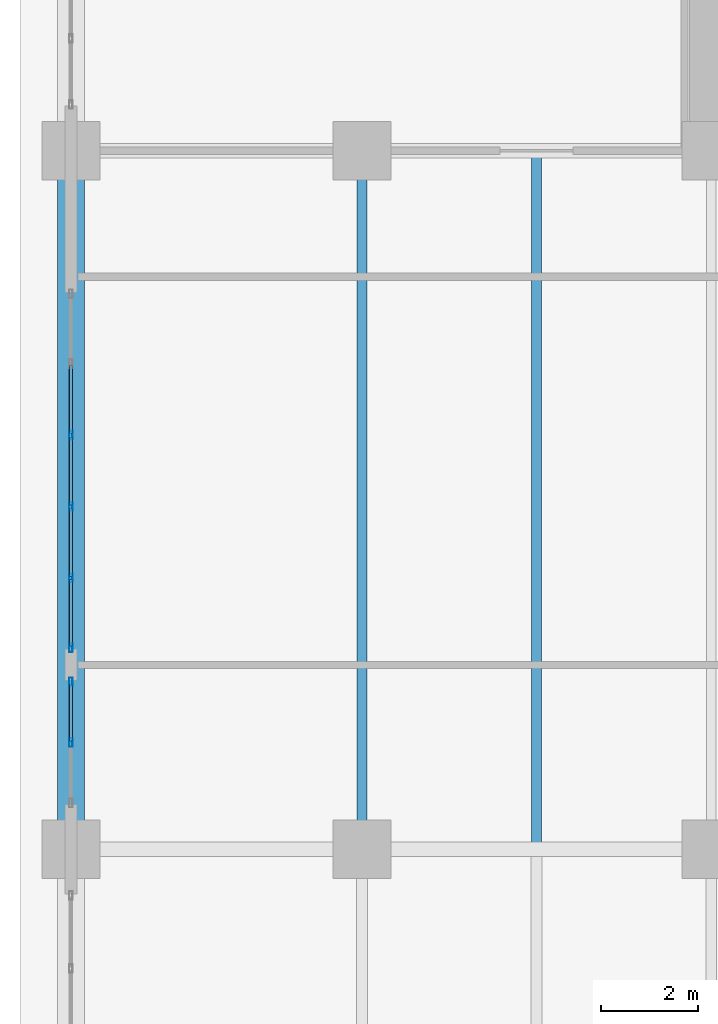
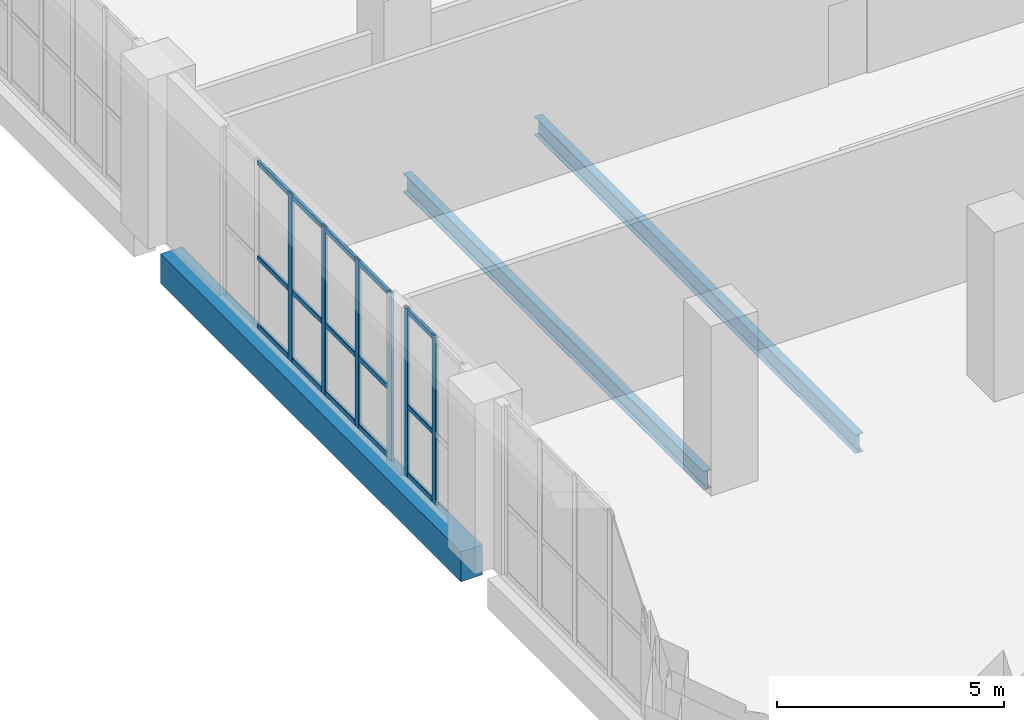
# One storey, part 8 of 37: 21 members, 3 beams, 2 elements without a shape of their own.
"""IFC4 building model written with IfcOpenShell, lengths in metres."""

from ifc_helpers import new_model, si_unit, direction, frame, origin, origin_2d, place, context, subcontext, project, spatial, rectangle, hollow_rectangle, i_section, extrude, material, layer, layer_set, material_profile, profile_set, type_object, element, aggregate, save


model = new_model("IFC4")

# Units and contexts
model_context = context("Model", 3, precision=1e-05, world=origin(), true_north=direction((0.0, 1.0)))
body_context = subcontext(model_context, "Body", "Model", "MODEL_VIEW")
ifc_project = project(units=[si_unit("LENGTHUNIT", "METRE"), si_unit("AREAUNIT", "SQUARE_METRE"), si_unit("VOLUMEUNIT", "CUBIC_METRE"), si_unit("PLANEANGLEUNIT", "RADIAN"), si_unit("MASSUNIT", "GRAM", prefix="KILO")], contexts=[model_context])

# Site, building, storey
site_placement = place(None, origin())
site = spatial("IfcSite", under=ifc_project, at=site_placement, CompositionType="ELEMENT")
building_placement = place(site_placement, origin())
building = spatial("IfcBuilding", under=site, at=building_placement, Name="Kaelvorn Grand Hotel", CompositionType="ELEMENT")
storey_placement = place(building_placement, frame((0.0, 0.0, 224.35009765625)))
storey = spatial("IfcBuildingStorey", under=building, at=storey_placement, Name="L55", CompositionType="ELEMENT", Elevation=224.35009765625)

# Beams
ifc_material_1 = material(Name="Steel S355", Category="steel")
ifc_material_profile_1 = material_profile(ifc_material_1, i_section(OverallWidth=0.199951171875, OverallDepth=0.5, WebThickness=0.01025390625, FlangeThickness=0.01611328125, FilletRadius=0.02099609375, at=origin_2d()), Name="IPE 500")
ifc_profile_set_1 = profile_set([ifc_material_profile_1], Name="Steel S355")
beam_type_1 = type_object("IfcBeamType", Name="BM-J-IPE500-S355", PredefinedType="JOIST", material=ifc_profile_set_1)
beam_1_placement = place(storey_placement, frame((9.0, 15.5849609375, -0.489990234375), z_axis=(0.0, 1.0, 0.0), x_axis=(-1.0, 0.0, 0.0)))
element("IfcBeam", 1, at=beam_1_placement, inside=storey, type_object=beam_type_1, Name="L55 Composite Floor Joist JM-03", PredefinedType="JOIST", context=body_context, shape_type="SweptSolid", body=[
    extrude(i_section(OverallWidth=0.199951171875, OverallDepth=0.5, WebThickness=0.01025390625, FlangeThickness=0.01611328125, FilletRadius=0.02099609375, at=origin_2d()), origin(), (0.0, 0.0, 1.0), 13.22998046875),
])
beam_2_placement = place(storey_placement, frame((12.60009765625, 15.131103515625, -0.489990234375), z_axis=(0.0, 1.0, 0.0), x_axis=(-1.0, 0.0, 0.0)))
element("IfcBeam", 2, at=beam_2_placement, inside=storey, type_object=beam_type_1, Name="L55 Composite Floor Joist JM-04", PredefinedType="JOIST", context=body_context, shape_type="SweptSolid", body=[
    extrude(i_section(OverallWidth=0.199951171875, OverallDepth=0.5, WebThickness=0.01025390625, FlangeThickness=0.01611328125, FilletRadius=0.02099609375, at=origin_2d()), origin(), (0.0, 0.0, 1.0), 14.1376953125),
])
ifc_material_2 = material(Name="Concrete C50/60", Category="concrete")
ifc_material_profile_2 = material_profile(ifc_material_2, rectangle(XDim=0.550048828125, YDim=0.800048828125, at=origin_2d()), Name="RC SPANDREL 550x800")
ifc_profile_set_2 = profile_set([ifc_material_profile_2], Name="Concrete C50/60")
beam_type_2 = type_object("IfcBeamType", Name="BM-SP-550x800-C50", PredefinedType="SPANDREL", material=ifc_profile_set_2)
beam_3_placement = place(storey_placement, frame((3.0, 15.5849609375, -0.64013671875), z_axis=(0.0, 1.0, 0.0), x_axis=(-1.0, 0.0, 0.0)))
element("IfcBeam", 3, at=beam_3_placement, inside=storey, type_object=beam_type_2, Name="L55 West Perimeter Spandrel 02", PredefinedType="SPANDREL", context=body_context, shape_type="SweptSolid", body=[
    extrude(rectangle(XDim=0.550048828125, YDim=0.800048828125, at=origin_2d()), origin(), (0.0, 0.0, 1.0), 13.22998046875),
])

# Curtain wall, members
ifc_material_3 = material(Name="Anodised Aluminium", Category="aluminium")
ifc_layer = layer(ifc_material_3, 0.179931640625)
ifc_layer_set = layer_set([ifc_layer], Name="Anodised Aluminium")
curtain_wall_type = type_object("IfcCurtainWallType", Name="CW-SYS4", PredefinedType="NOTDEFINED", material=ifc_layer_set)
curtain_wall_1_placement = place(storey_placement, origin())
curtain_wall_1 = element("IfcCurtainWall", 4, at=curtain_wall_1_placement, inside=storey, type_object=curtain_wall_type, Name="L55 Unitised Curtain Wall CW4 (CW-L55-W-03)", PredefinedType="NOTDEFINED")
ifc_material_profile_3 = material_profile(ifc_material_3, hollow_rectangle(XDim=0.070068359375, YDim=0.179931640625, WallThickness=0.00390625, InnerFilletRadius=0.00390625, OuterFilletRadius=0.008056640625, at=origin_2d()), Name="ALU MULL 70x180")
ifc_profile_set_3 = profile_set([ifc_material_profile_3], Name="Anodised Aluminium")
member_type_1 = type_object("IfcMemberType", Name="CW-SYS4-MULL", PredefinedType="MULLION", material=ifc_profile_set_3)
member_1_placement = place(storey_placement, frame((3.0, 23.535888671875, 0.0), z_axis=(0.0, 0.0, 1.0), x_axis=(1.0, 0.0, 0.0)))
member_1 = element("IfcMember", 5, at=member_1_placement, type_object=member_type_1, Name="CW4 mullion 3", PredefinedType="MULLION", context=body_context, shape_type="SweptSolid", body=[
    extrude(hollow_rectangle(XDim=0.070068359375, YDim=0.179931640625, WallThickness=0.00390625, InnerFilletRadius=0.00390625, OuterFilletRadius=0.008056640625, at=origin_2d()), origin(), (0.0, 0.0, 1.0), 4.52001953125),
])
member_2_placement = place(storey_placement, frame((3.0, 22.06396484375, 0.0), z_axis=(0.0, 0.0, 1.0), x_axis=(1.0, 0.0, 0.0)))
member_2 = element("IfcMember", 6, at=member_2_placement, type_object=member_type_1, Name="CW4 mullion 4", PredefinedType="MULLION", context=body_context, shape_type="SweptSolid", body=[
    extrude(hollow_rectangle(XDim=0.070068359375, YDim=0.179931640625, WallThickness=0.00390625, InnerFilletRadius=0.00390625, OuterFilletRadius=0.008056640625, at=origin_2d()), origin(), (0.0, 0.0, 1.0), 4.52001953125),
])
member_3_placement = place(storey_placement, frame((3.0, 20.592041015625, 0.0), z_axis=(0.0, 0.0, 1.0), x_axis=(1.0, 0.0, 0.0)))
member_3 = element("IfcMember", 7, at=member_3_placement, type_object=member_type_1, Name="CW4 mullion 5", PredefinedType="MULLION", context=body_context, shape_type="SweptSolid", body=[
    extrude(hollow_rectangle(XDim=0.070068359375, YDim=0.179931640625, WallThickness=0.00390625, InnerFilletRadius=0.00390625, OuterFilletRadius=0.008056640625, at=origin_2d()), origin(), (0.0, 0.0, 1.0), 4.52001953125),
])
member_4_placement = place(storey_placement, frame((3.0, 19.155029296875, 0.0), z_axis=(0.0, 0.0, 1.0), x_axis=(1.0, 0.0, 0.0)))
member_4 = element("IfcMember", 8, at=member_4_placement, type_object=member_type_1, Name="CW4 mullion 6", PredefinedType="MULLION", context=body_context, shape_type="SweptSolid", body=[
    extrude(hollow_rectangle(XDim=0.070068359375, YDim=0.179931640625, WallThickness=0.00390625, InnerFilletRadius=0.00390625, OuterFilletRadius=0.008056640625, at=origin_2d()), origin(), (0.0, 0.0, 1.0), 4.52001953125),
])

curtain_wall_2_placement = place(storey_placement, origin())
curtain_wall_2 = element("IfcCurtainWall", 9, at=curtain_wall_2_placement, inside=storey, type_object=curtain_wall_type, Name="L55 Unitised Curtain Wall CW4 (CW-L55-W-02)", PredefinedType="NOTDEFINED")
member_5_placement = place(storey_placement, frame((3.0, 18.445068359375, 0.0), z_axis=(0.0, 0.0, 1.0), x_axis=(1.0, 0.0, 0.0)))
member_5 = element("IfcMember", 10, at=member_5_placement, type_object=member_type_1, Name="CW4 mullion 1", PredefinedType="MULLION", context=body_context, shape_type="SweptSolid", body=[
    extrude(hollow_rectangle(XDim=0.070068359375, YDim=0.179931640625, WallThickness=0.00390625, InnerFilletRadius=0.00390625, OuterFilletRadius=0.008056640625, at=origin_2d()), origin(), (0.0, 0.0, 1.0), 4.52001953125),
])
member_6_placement = place(storey_placement, frame((3.0, 17.199951171875, 0.0), z_axis=(0.0, 0.0, 1.0), x_axis=(1.0, 0.0, 0.0)))
member_6 = element("IfcMember", 11, at=member_6_placement, type_object=member_type_1, Name="CW4 mullion 2", PredefinedType="MULLION", context=body_context, shape_type="SweptSolid", body=[
    extrude(hollow_rectangle(XDim=0.070068359375, YDim=0.179931640625, WallThickness=0.00390625, InnerFilletRadius=0.00390625, OuterFilletRadius=0.008056640625, at=origin_2d()), origin(), (0.0, 0.0, 1.0), 4.52001953125),
])

# Member
ifc_material_profile_4 = material_profile(ifc_material_3, hollow_rectangle(XDim=0.070068359375, YDim=0.135009765625, WallThickness=0.00341796875, InnerFilletRadius=0.00341796875, OuterFilletRadius=0.007080078125, at=origin_2d()), Name="ALU TRAN 70x135")
ifc_profile_set_4 = profile_set([ifc_material_profile_4], Name="Anodised Aluminium")
member_type_2 = type_object("IfcMemberType", Name="CW-SYS4-TRAN", PredefinedType="NOTDEFINED", material=ifc_profile_set_4)
member_7_placement = place(storey_placement, frame((3.0, 24.972900390625, 0.0673828125), z_axis=(0.0, -1.0, 0.0), x_axis=(1.0, 0.0, 0.0)))
member_7 = element("IfcMember", 12, at=member_7_placement, type_object=member_type_2, Name="CW4 transom 2.1", ObjectType="TRANSOM", PredefinedType="USERDEFINED", context=body_context, shape_type="SweptSolid", body=[
    extrude(hollow_rectangle(XDim=0.070068359375, YDim=0.135009765625, WallThickness=0.00341796875, InnerFilletRadius=0.00341796875, OuterFilletRadius=0.007080078125, at=origin_2d()), origin(), (0.0, 0.0, 1.0), 1.40185546875),
])

member_8_placement = place(storey_placement, frame((3.0, 24.972900390625, 1.898193359375), z_axis=(0.0, -1.0, 0.0), x_axis=(1.0, 0.0, 0.0)))
member_8 = element("IfcMember", 13, at=member_8_placement, type_object=member_type_2, Name="CW4 transom 2.2", ObjectType="TRANSOM", PredefinedType="USERDEFINED", context=body_context, shape_type="SweptSolid", body=[
    extrude(hollow_rectangle(XDim=0.070068359375, YDim=0.135009765625, WallThickness=0.00341796875, InnerFilletRadius=0.00341796875, OuterFilletRadius=0.007080078125, at=origin_2d()), origin(), (0.0, 0.0, 1.0), 1.40185546875),
])

member_9_placement = place(storey_placement, frame((3.0, 24.972900390625, 4.452392578125), z_axis=(0.0, -1.0, 0.0), x_axis=(1.0, 0.0, 0.0)))
member_9 = element("IfcMember", 14, at=member_9_placement, type_object=member_type_2, Name="CW4 transom 2.3", ObjectType="TRANSOM", PredefinedType="USERDEFINED", context=body_context, shape_type="SweptSolid", body=[
    extrude(hollow_rectangle(XDim=0.070068359375, YDim=0.135009765625, WallThickness=0.00341796875, InnerFilletRadius=0.00341796875, OuterFilletRadius=0.007080078125, at=origin_2d()), origin(), (0.0, 0.0, 1.0), 1.40185546875),
])

member_10_placement = place(storey_placement, frame((3.0, 23.5009765625, 0.0673828125), z_axis=(0.0, -1.0, 0.0), x_axis=(1.0, 0.0, 0.0)))
member_10 = element("IfcMember", 15, at=member_10_placement, type_object=member_type_2, Name="CW4 transom 3.1", ObjectType="TRANSOM", PredefinedType="USERDEFINED", context=body_context, shape_type="SweptSolid", body=[
    extrude(hollow_rectangle(XDim=0.070068359375, YDim=0.135009765625, WallThickness=0.00341796875, InnerFilletRadius=0.00341796875, OuterFilletRadius=0.007080078125, at=origin_2d()), origin(), (0.0, 0.0, 1.0), 1.40185546875),
])

member_11_placement = place(storey_placement, frame((3.0, 23.5009765625, 1.898193359375), z_axis=(0.0, -1.0, 0.0), x_axis=(1.0, 0.0, 0.0)))
member_11 = element("IfcMember", 16, at=member_11_placement, type_object=member_type_2, Name="CW4 transom 3.2", ObjectType="TRANSOM", PredefinedType="USERDEFINED", context=body_context, shape_type="SweptSolid", body=[
    extrude(hollow_rectangle(XDim=0.070068359375, YDim=0.135009765625, WallThickness=0.00341796875, InnerFilletRadius=0.00341796875, OuterFilletRadius=0.007080078125, at=origin_2d()), origin(), (0.0, 0.0, 1.0), 1.40185546875),
])

member_12_placement = place(storey_placement, frame((3.0, 23.5009765625, 4.452392578125), z_axis=(0.0, -1.0, 0.0), x_axis=(1.0, 0.0, 0.0)))
member_12 = element("IfcMember", 17, at=member_12_placement, type_object=member_type_2, Name="CW4 transom 3.3", ObjectType="TRANSOM", PredefinedType="USERDEFINED", context=body_context, shape_type="SweptSolid", body=[
    extrude(hollow_rectangle(XDim=0.070068359375, YDim=0.135009765625, WallThickness=0.00341796875, InnerFilletRadius=0.00341796875, OuterFilletRadius=0.007080078125, at=origin_2d()), origin(), (0.0, 0.0, 1.0), 1.40185546875),
])

member_13_placement = place(storey_placement, frame((3.0, 22.029052734375, 0.0673828125), z_axis=(0.0, -1.0, 0.0), x_axis=(1.0, 0.0, 0.0)))
member_13 = element("IfcMember", 18, at=member_13_placement, type_object=member_type_2, Name="CW4 transom 4.1", ObjectType="TRANSOM", PredefinedType="USERDEFINED", context=body_context, shape_type="SweptSolid", body=[
    extrude(hollow_rectangle(XDim=0.070068359375, YDim=0.135009765625, WallThickness=0.00341796875, InnerFilletRadius=0.00341796875, OuterFilletRadius=0.007080078125, at=origin_2d()), origin(), (0.0, 0.0, 1.0), 1.402099609375),
])

member_14_placement = place(storey_placement, frame((3.0, 22.029052734375, 1.898193359375), z_axis=(0.0, -1.0, 0.0), x_axis=(1.0, 0.0, 0.0)))
member_14 = element("IfcMember", 19, at=member_14_placement, type_object=member_type_2, Name="CW4 transom 4.2", ObjectType="TRANSOM", PredefinedType="USERDEFINED", context=body_context, shape_type="SweptSolid", body=[
    extrude(hollow_rectangle(XDim=0.070068359375, YDim=0.135009765625, WallThickness=0.00341796875, InnerFilletRadius=0.00341796875, OuterFilletRadius=0.007080078125, at=origin_2d()), origin(), (0.0, 0.0, 1.0), 1.402099609375),
])

member_15_placement = place(storey_placement, frame((3.0, 22.029052734375, 4.452392578125), z_axis=(0.0, -1.0, 0.0), x_axis=(1.0, 0.0, 0.0)))
member_15 = element("IfcMember", 20, at=member_15_placement, type_object=member_type_2, Name="CW4 transom 4.3", ObjectType="TRANSOM", PredefinedType="USERDEFINED", context=body_context, shape_type="SweptSolid", body=[
    extrude(hollow_rectangle(XDim=0.070068359375, YDim=0.135009765625, WallThickness=0.00341796875, InnerFilletRadius=0.00341796875, OuterFilletRadius=0.007080078125, at=origin_2d()), origin(), (0.0, 0.0, 1.0), 1.402099609375),
])

member_16_placement = place(storey_placement, frame((3.0, 20.556884765625, 0.0673828125), z_axis=(0.0, -1.0, 0.0), x_axis=(1.0, 0.0, 0.0)))
member_16 = element("IfcMember", 21, at=member_16_placement, type_object=member_type_2, Name="CW4 transom 5.1", ObjectType="TRANSOM", PredefinedType="USERDEFINED", context=body_context, shape_type="SweptSolid", body=[
    extrude(hollow_rectangle(XDim=0.070068359375, YDim=0.135009765625, WallThickness=0.00341796875, InnerFilletRadius=0.00341796875, OuterFilletRadius=0.007080078125, at=origin_2d()), origin(), (0.0, 0.0, 1.0), 1.366943359375),
])

member_17_placement = place(storey_placement, frame((3.0, 20.556884765625, 1.898193359375), z_axis=(0.0, -1.0, 0.0), x_axis=(1.0, 0.0, 0.0)))
member_17 = element("IfcMember", 22, at=member_17_placement, type_object=member_type_2, Name="CW4 transom 5.2", ObjectType="TRANSOM", PredefinedType="USERDEFINED", context=body_context, shape_type="SweptSolid", body=[
    extrude(hollow_rectangle(XDim=0.070068359375, YDim=0.135009765625, WallThickness=0.00341796875, InnerFilletRadius=0.00341796875, OuterFilletRadius=0.007080078125, at=origin_2d()), origin(), (0.0, 0.0, 1.0), 1.366943359375),
])

member_18_placement = place(storey_placement, frame((3.0, 20.556884765625, 4.452392578125), z_axis=(0.0, -1.0, 0.0), x_axis=(1.0, 0.0, 0.0)))
member_18 = element("IfcMember", 23, at=member_18_placement, type_object=member_type_2, Name="CW4 transom 5.3", ObjectType="TRANSOM", PredefinedType="USERDEFINED", context=body_context, shape_type="SweptSolid", body=[
    extrude(hollow_rectangle(XDim=0.070068359375, YDim=0.135009765625, WallThickness=0.00341796875, InnerFilletRadius=0.00341796875, OuterFilletRadius=0.007080078125, at=origin_2d()), origin(), (0.0, 0.0, 1.0), 1.366943359375),
])

aggregate(curtain_wall_1, [member_1, member_2, member_3, member_4, member_7, member_8, member_9, member_10, member_11, member_12, member_13, member_14, member_15, member_16, member_17, member_18])

member_19_placement = place(storey_placement, frame((3.0, 18.409912109375, 0.0673828125), z_axis=(0.0, -1.0, 0.0), x_axis=(1.0, 0.0, 0.0)))
member_19 = element("IfcMember", 24, at=member_19_placement, type_object=member_type_2, Name="CW4 transom 1.1", ObjectType="TRANSOM", PredefinedType="USERDEFINED", context=body_context, shape_type="SweptSolid", body=[
    extrude(hollow_rectangle(XDim=0.070068359375, YDim=0.135009765625, WallThickness=0.00341796875, InnerFilletRadius=0.00341796875, OuterFilletRadius=0.007080078125, at=origin_2d()), origin(), (0.0, 0.0, 1.0), 1.1748046875),
])

member_20_placement = place(storey_placement, frame((3.0, 18.409912109375, 1.898193359375), z_axis=(0.0, -1.0, 0.0), x_axis=(1.0, 0.0, 0.0)))
member_20 = element("IfcMember", 25, at=member_20_placement, type_object=member_type_2, Name="CW4 transom 1.2", ObjectType="TRANSOM", PredefinedType="USERDEFINED", context=body_context, shape_type="SweptSolid", body=[
    extrude(hollow_rectangle(XDim=0.070068359375, YDim=0.135009765625, WallThickness=0.00341796875, InnerFilletRadius=0.00341796875, OuterFilletRadius=0.007080078125, at=origin_2d()), origin(), (0.0, 0.0, 1.0), 1.1748046875),
])

member_21_placement = place(storey_placement, frame((3.0, 18.409912109375, 4.452392578125), z_axis=(0.0, -1.0, 0.0), x_axis=(1.0, 0.0, 0.0)))
member_21 = element("IfcMember", 26, at=member_21_placement, type_object=member_type_2, Name="CW4 transom 1.3", ObjectType="TRANSOM", PredefinedType="USERDEFINED", context=body_context, shape_type="SweptSolid", body=[
    extrude(hollow_rectangle(XDim=0.070068359375, YDim=0.135009765625, WallThickness=0.00341796875, InnerFilletRadius=0.00341796875, OuterFilletRadius=0.007080078125, at=origin_2d()), origin(), (0.0, 0.0, 1.0), 1.1748046875),
])

aggregate(curtain_wall_2, [member_5, member_6, member_19, member_20, member_21])

save(model, "model.ifc")
